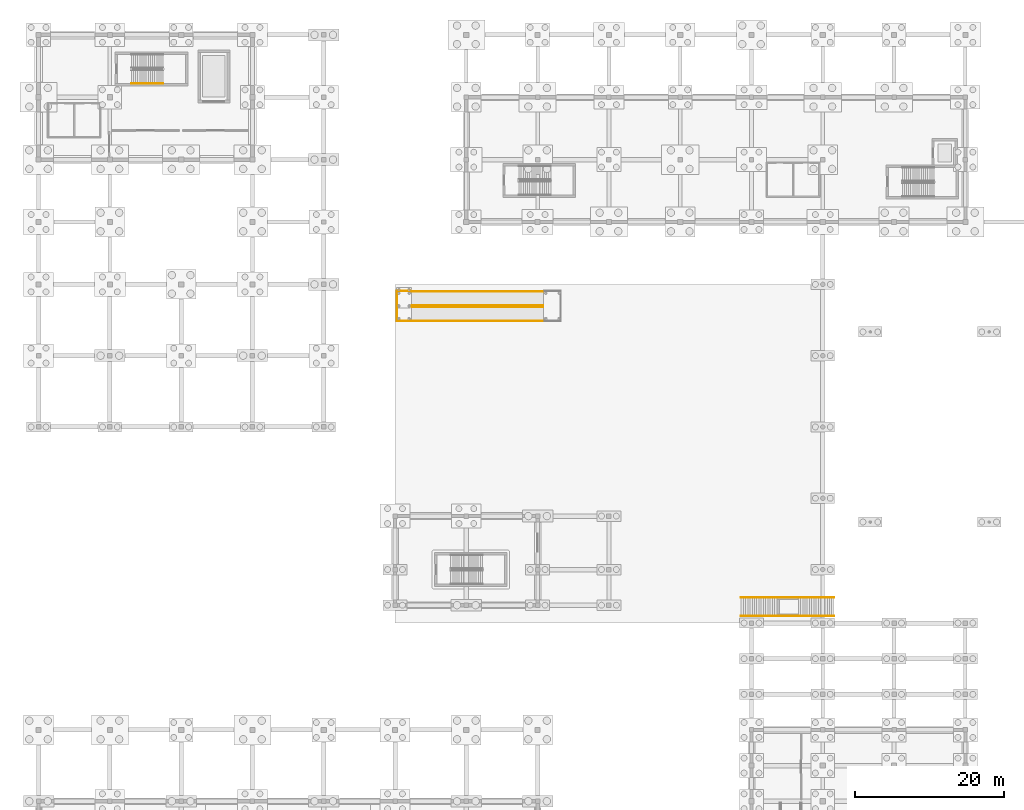
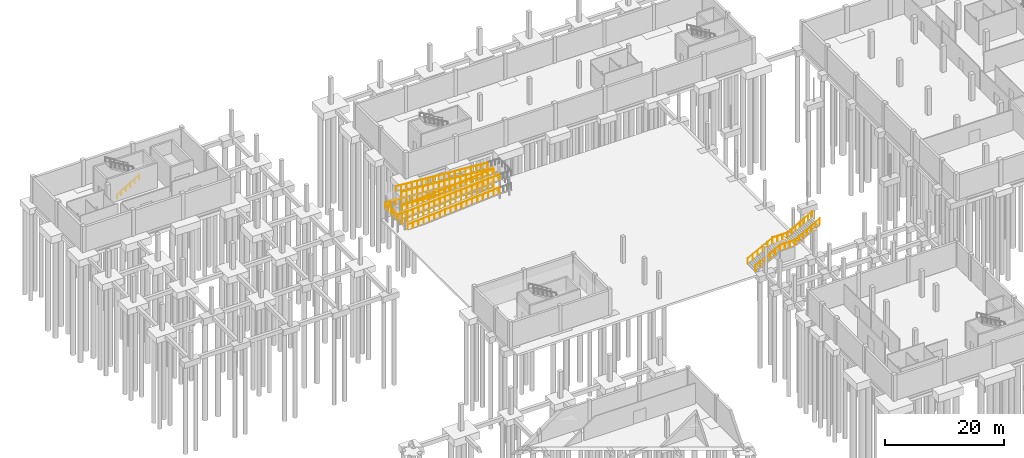
# One storey, part 36 of 41: 14 railings.
"""IFC4 building model written with IfcOpenShell, lengths in metres."""

from ifc_helpers import new_model, si_unit, direction, frame, origin, origin_2d, place, context, subcontext, project, spatial, circle, extrude, material, type_object, element, save


model = new_model("IFC4")

# Units and contexts
model_context = context("Model", 3, precision=1e-05, world=origin(), true_north=direction((0.0, 1.0)))
body_context = subcontext(model_context, "Body", "Model", "MODEL_VIEW")
ifc_project = project(units=[si_unit("LENGTHUNIT", "METRE"), si_unit("AREAUNIT", "SQUARE_METRE"), si_unit("VOLUMEUNIT", "CUBIC_METRE"), si_unit("PLANEANGLEUNIT", "RADIAN"), si_unit("MASSUNIT", "GRAM", prefix="KILO")], contexts=[model_context])

# Site, building, storey
site_placement = place(None, origin())
site = spatial("IfcSite", under=ifc_project, at=site_placement, CompositionType="ELEMENT")
building_placement = place(site_placement, origin())
building = spatial("IfcBuilding", under=site, at=building_placement, Name="Shalvenor Court Art Gallery", CompositionType="ELEMENT")
storey_placement = place(building_placement, frame((0.0, 0.0, -5.39990234375)))
storey = spatial("IfcBuildingStorey", under=building, at=storey_placement, Name="B01", CompositionType="ELEMENT", Elevation=-5.39990234375)

# Railings
ifc_material_1 = material(Name="Stainless steel and laminated glass balustrade", Category="steel")
railing_type_1 = type_object("IfcRailingType", Name="GR-01", PredefinedType="BALUSTRADE", material=ifc_material_1)
railing_1_placement = place(storey_placement, frame((50.260009765625, 83.860107421875, 0.0)))
element("IfcRailing", 1, at=railing_1_placement, inside=storey, type_object=railing_type_1, Name="Accessible Ramp Balustrade 1.1", PredefinedType="BALUSTRADE", context=body_context, shape_type="SweptSolid", body=[
    extrude(circle(Radius=0.02392578125, at=origin_2d()), frame((0.0, 0.0, 1.09619140625), z_axis=(0.997098059701, 0.0, 0.076127914331), x_axis=(0.0, 1.0, 0.0)), (0.0, 0.0, 1.0), 17.7314453125),
    extrude(circle(Radius=0.02099609375, at=origin_2d()), origin(), (0.0, 0.0, 1.0), 1.072021484375),
    extrude(circle(Radius=0.02099609375, at=origin_2d()), frame((1.0400390625, 0.0, 0.079345703125)), (0.0, 0.0, 1.0), 1.072021484375),
    extrude(circle(Radius=0.02099609375, at=origin_2d()), frame((2.080078125, 0.0, 0.15869140625)), (0.0, 0.0, 1.0), 1.072021484375),
    extrude(circle(Radius=0.02099609375, at=origin_2d()), frame((3.119873046875, 0.0, 0.23828125)), (0.0, 0.0, 1.0), 1.072021484375),
    extrude(circle(Radius=0.02099609375, at=origin_2d()), frame((4.159912109375, 0.0, 0.317626953125)), (0.0, 0.0, 1.0), 1.072021484375),
    extrude(circle(Radius=0.02099609375, at=origin_2d()), frame((5.199951171875, 0.0, 0.39697265625)), (0.0, 0.0, 1.0), 1.072021484375),
    extrude(circle(Radius=0.02099609375, at=origin_2d()), frame((6.239990234375, 0.0, 0.476318359375)), (0.0, 0.0, 1.0), 1.072021484375),
    extrude(circle(Radius=0.02099609375, at=origin_2d()), frame((7.280029296875, 0.0, 0.555908203125)), (0.0, 0.0, 1.0), 1.072021484375),
    extrude(circle(Radius=0.02099609375, at=origin_2d()), frame((8.320068359375, 0.0, 0.63525390625)), (0.0, 0.0, 1.0), 1.072021484375),
    extrude(circle(Radius=0.02099609375, at=origin_2d()), frame((9.35986328125, 0.0, 0.714599609375)), (0.0, 0.0, 1.0), 1.072021484375),
    extrude(circle(Radius=0.02099609375, at=origin_2d()), frame((10.39990234375, 0.0, 0.7939453125)), (0.0, 0.0, 1.0), 1.072021484375),
    extrude(circle(Radius=0.02099609375, at=origin_2d()), frame((11.43994140625, 0.0, 0.87353515625)), (0.0, 0.0, 1.0), 1.072021484375),
    extrude(circle(Radius=0.02099609375, at=origin_2d()), frame((12.47998046875, 0.0, 0.952880859375)), (0.0, 0.0, 1.0), 1.072021484375),
    extrude(circle(Radius=0.02099609375, at=origin_2d()), frame((13.52001953125, 0.0, 1.0322265625)), (0.0, 0.0, 1.0), 1.072021484375),
    extrude(circle(Radius=0.02099609375, at=origin_2d()), frame((14.56005859375, 0.0, 1.111572265625)), (0.0, 0.0, 1.0), 1.072021484375),
    extrude(circle(Radius=0.02099609375, at=origin_2d()), frame((15.599853515625, 0.0, 1.191162109375)), (0.0, 0.0, 1.0), 1.072021484375),
    extrude(circle(Radius=0.02099609375, at=origin_2d()), frame((16.639892578125, 0.0, 1.2705078125)), (0.0, 0.0, 1.0), 1.072021484375),
    extrude(circle(Radius=0.02099609375, at=origin_2d()), frame((17.679931640625, 0.0, 1.349853515625)), (0.0, 0.0, 1.0), 1.072021484375),
])
railing_2_placement = place(storey_placement, frame((50.260009765625, 85.739990234375, 0.0)))
element("IfcRailing", 2, at=railing_2_placement, inside=storey, type_object=railing_type_1, Name="Accessible Ramp Balustrade 1.2", PredefinedType="BALUSTRADE", context=body_context, shape_type="SweptSolid", body=[
    extrude(circle(Radius=0.02392578125, at=origin_2d()), frame((0.0, 0.0, 1.09619140625), z_axis=(0.997098059701, 0.0, 0.076127914331), x_axis=(0.0, 1.0, 0.0)), (0.0, 0.0, 1.0), 17.7314453125),
    extrude(circle(Radius=0.02099609375, at=origin_2d()), origin(), (0.0, 0.0, 1.0), 1.072021484375),
    extrude(circle(Radius=0.02099609375, at=origin_2d()), frame((1.0400390625, 0.0, 0.079345703125)), (0.0, 0.0, 1.0), 1.072021484375),
    extrude(circle(Radius=0.02099609375, at=origin_2d()), frame((2.080078125, 0.0, 0.15869140625)), (0.0, 0.0, 1.0), 1.072021484375),
    extrude(circle(Radius=0.02099609375, at=origin_2d()), frame((3.119873046875, 0.0, 0.23828125)), (0.0, 0.0, 1.0), 1.072021484375),
    extrude(circle(Radius=0.02099609375, at=origin_2d()), frame((4.159912109375, 0.0, 0.317626953125)), (0.0, 0.0, 1.0), 1.072021484375),
    extrude(circle(Radius=0.02099609375, at=origin_2d()), frame((5.199951171875, 0.0, 0.39697265625)), (0.0, 0.0, 1.0), 1.072021484375),
    extrude(circle(Radius=0.02099609375, at=origin_2d()), frame((6.239990234375, 0.0, 0.476318359375)), (0.0, 0.0, 1.0), 1.072021484375),
    extrude(circle(Radius=0.02099609375, at=origin_2d()), frame((7.280029296875, 0.0, 0.555908203125)), (0.0, 0.0, 1.0), 1.072021484375),
    extrude(circle(Radius=0.02099609375, at=origin_2d()), frame((8.320068359375, 0.0, 0.63525390625)), (0.0, 0.0, 1.0), 1.072021484375),
    extrude(circle(Radius=0.02099609375, at=origin_2d()), frame((9.35986328125, 0.0, 0.714599609375)), (0.0, 0.0, 1.0), 1.072021484375),
    extrude(circle(Radius=0.02099609375, at=origin_2d()), frame((10.39990234375, 0.0, 0.7939453125)), (0.0, 0.0, 1.0), 1.072021484375),
    extrude(circle(Radius=0.02099609375, at=origin_2d()), frame((11.43994140625, 0.0, 0.87353515625)), (0.0, 0.0, 1.0), 1.072021484375),
    extrude(circle(Radius=0.02099609375, at=origin_2d()), frame((12.47998046875, 0.0, 0.952880859375)), (0.0, 0.0, 1.0), 1.072021484375),
    extrude(circle(Radius=0.02099609375, at=origin_2d()), frame((13.52001953125, 0.0, 1.0322265625)), (0.0, 0.0, 1.0), 1.072021484375),
    extrude(circle(Radius=0.02099609375, at=origin_2d()), frame((14.56005859375, 0.0, 1.111572265625)), (0.0, 0.0, 1.0), 1.072021484375),
    extrude(circle(Radius=0.02099609375, at=origin_2d()), frame((15.599853515625, 0.0, 1.191162109375)), (0.0, 0.0, 1.0), 1.072021484375),
    extrude(circle(Radius=0.02099609375, at=origin_2d()), frame((16.639892578125, 0.0, 1.2705078125)), (0.0, 0.0, 1.0), 1.072021484375),
    extrude(circle(Radius=0.02099609375, at=origin_2d()), frame((17.679931640625, 0.0, 1.349853515625)), (0.0, 0.0, 1.0), 1.072021484375),
])
railing_3_placement = place(storey_placement, frame((67.93994140625, 85.9599609375, 1.349853515625)))
element("IfcRailing", 3, at=railing_3_placement, inside=storey, type_object=railing_type_1, Name="Accessible Ramp Balustrade 2.1", PredefinedType="BALUSTRADE", context=body_context, shape_type="SweptSolid", body=[
    extrude(circle(Radius=0.02392578125, at=origin_2d()), frame((0.0, 0.0, 1.09619140625), z_axis=(-0.997097014457, 0.0, 0.076141603352), x_axis=(0.0, -1.0, 0.0)), (0.0, 0.0, 1.0), 17.7314453125),
    extrude(circle(Radius=0.02099609375, at=origin_2d()), origin(), (0.0, 0.0, 1.0), 1.072021484375),
    extrude(circle(Radius=0.02099609375, at=origin_2d()), frame((-1.0400390625, 0.0, 0.079345703125)), (0.0, 0.0, 1.0), 1.072021484375),
    extrude(circle(Radius=0.02099609375, at=origin_2d()), frame((-2.080078125, 0.0, 0.158935546875)), (0.0, 0.0, 1.0), 1.072021484375),
    extrude(circle(Radius=0.02099609375, at=origin_2d()), frame((-3.119873046875, 0.0, 0.23828125)), (0.0, 0.0, 1.0), 1.072021484375),
    extrude(circle(Radius=0.02099609375, at=origin_2d()), frame((-4.159912109375, 0.0, 0.317626953125)), (0.0, 0.0, 1.0), 1.072021484375),
    extrude(circle(Radius=0.02099609375, at=origin_2d()), frame((-5.199951171875, 0.0, 0.39697265625)), (0.0, 0.0, 1.0), 1.072021484375),
    extrude(circle(Radius=0.02099609375, at=origin_2d()), frame((-6.239990234375, 0.0, 0.4765625)), (0.0, 0.0, 1.0), 1.072021484375),
    extrude(circle(Radius=0.02099609375, at=origin_2d()), frame((-7.280029296875, 0.0, 0.555908203125)), (0.0, 0.0, 1.0), 1.072021484375),
    extrude(circle(Radius=0.02099609375, at=origin_2d()), frame((-8.320068359375, 0.0, 0.63525390625)), (0.0, 0.0, 1.0), 1.072021484375),
    extrude(circle(Radius=0.02099609375, at=origin_2d()), frame((-9.35986328125, 0.0, 0.71484375)), (0.0, 0.0, 1.0), 1.072021484375),
    extrude(circle(Radius=0.02099609375, at=origin_2d()), frame((-10.39990234375, 0.0, 0.794189453125)), (0.0, 0.0, 1.0), 1.072021484375),
    extrude(circle(Radius=0.02099609375, at=origin_2d()), frame((-11.43994140625, 0.0, 0.87353515625)), (0.0, 0.0, 1.0), 1.072021484375),
    extrude(circle(Radius=0.02099609375, at=origin_2d()), frame((-12.47998046875, 0.0, 0.953125)), (0.0, 0.0, 1.0), 1.072021484375),
    extrude(circle(Radius=0.02099609375, at=origin_2d()), frame((-13.52001953125, 0.0, 1.032470703125)), (0.0, 0.0, 1.0), 1.072021484375),
    extrude(circle(Radius=0.02099609375, at=origin_2d()), frame((-14.56005859375, 0.0, 1.11181640625)), (0.0, 0.0, 1.0), 1.072021484375),
    extrude(circle(Radius=0.02099609375, at=origin_2d()), frame((-15.599853515625, 0.0, 1.191162109375)), (0.0, 0.0, 1.0), 1.072021484375),
    extrude(circle(Radius=0.02099609375, at=origin_2d()), frame((-16.639892578125, 0.0, 1.270751953125)), (0.0, 0.0, 1.0), 1.072021484375),
    extrude(circle(Radius=0.02099609375, at=origin_2d()), frame((-17.679931640625, 0.0, 1.35009765625)), (0.0, 0.0, 1.0), 1.072021484375),
])
railing_4_placement = place(storey_placement, frame((67.93994140625, 87.840087890625, 1.349853515625)))
element("IfcRailing", 4, at=railing_4_placement, inside=storey, type_object=railing_type_1, Name="Accessible Ramp Balustrade 2.2", PredefinedType="BALUSTRADE", context=body_context, shape_type="SweptSolid", body=[
    extrude(circle(Radius=0.02392578125, at=origin_2d()), frame((0.0, 0.0, 1.09619140625), z_axis=(-0.997097014457, 0.0, 0.076141603352), x_axis=(0.0, -1.0, 0.0)), (0.0, 0.0, 1.0), 17.7314453125),
    extrude(circle(Radius=0.02099609375, at=origin_2d()), origin(), (0.0, 0.0, 1.0), 1.072021484375),
    extrude(circle(Radius=0.02099609375, at=origin_2d()), frame((-1.0400390625, 0.0, 0.079345703125)), (0.0, 0.0, 1.0), 1.072021484375),
    extrude(circle(Radius=0.02099609375, at=origin_2d()), frame((-2.080078125, 0.0, 0.158935546875)), (0.0, 0.0, 1.0), 1.072021484375),
    extrude(circle(Radius=0.02099609375, at=origin_2d()), frame((-3.119873046875, 0.0, 0.23828125)), (0.0, 0.0, 1.0), 1.072021484375),
    extrude(circle(Radius=0.02099609375, at=origin_2d()), frame((-4.159912109375, 0.0, 0.317626953125)), (0.0, 0.0, 1.0), 1.072021484375),
    extrude(circle(Radius=0.02099609375, at=origin_2d()), frame((-5.199951171875, 0.0, 0.39697265625)), (0.0, 0.0, 1.0), 1.072021484375),
    extrude(circle(Radius=0.02099609375, at=origin_2d()), frame((-6.239990234375, 0.0, 0.4765625)), (0.0, 0.0, 1.0), 1.072021484375),
    extrude(circle(Radius=0.02099609375, at=origin_2d()), frame((-7.280029296875, 0.0, 0.555908203125)), (0.0, 0.0, 1.0), 1.072021484375),
    extrude(circle(Radius=0.02099609375, at=origin_2d()), frame((-8.320068359375, 0.0, 0.63525390625)), (0.0, 0.0, 1.0), 1.072021484375),
    extrude(circle(Radius=0.02099609375, at=origin_2d()), frame((-9.35986328125, 0.0, 0.71484375)), (0.0, 0.0, 1.0), 1.072021484375),
    extrude(circle(Radius=0.02099609375, at=origin_2d()), frame((-10.39990234375, 0.0, 0.794189453125)), (0.0, 0.0, 1.0), 1.072021484375),
    extrude(circle(Radius=0.02099609375, at=origin_2d()), frame((-11.43994140625, 0.0, 0.87353515625)), (0.0, 0.0, 1.0), 1.072021484375),
    extrude(circle(Radius=0.02099609375, at=origin_2d()), frame((-12.47998046875, 0.0, 0.953125)), (0.0, 0.0, 1.0), 1.072021484375),
    extrude(circle(Radius=0.02099609375, at=origin_2d()), frame((-13.52001953125, 0.0, 1.032470703125)), (0.0, 0.0, 1.0), 1.072021484375),
    extrude(circle(Radius=0.02099609375, at=origin_2d()), frame((-14.56005859375, 0.0, 1.11181640625)), (0.0, 0.0, 1.0), 1.072021484375),
    extrude(circle(Radius=0.02099609375, at=origin_2d()), frame((-15.599853515625, 0.0, 1.191162109375)), (0.0, 0.0, 1.0), 1.072021484375),
    extrude(circle(Radius=0.02099609375, at=origin_2d()), frame((-16.639892578125, 0.0, 1.270751953125)), (0.0, 0.0, 1.0), 1.072021484375),
    extrude(circle(Radius=0.02099609375, at=origin_2d()), frame((-17.679931640625, 0.0, 1.35009765625)), (0.0, 0.0, 1.0), 1.072021484375),
])
railing_5_placement = place(storey_placement, frame((50.260009765625, 83.860107421875, 2.699951171875)))
element("IfcRailing", 5, at=railing_5_placement, inside=storey, type_object=railing_type_1, Name="Accessible Ramp Balustrade 3.1", PredefinedType="BALUSTRADE", context=body_context, shape_type="SweptSolid", body=[
    extrude(circle(Radius=0.02392578125, at=origin_2d()), frame((0.0, 0.0, 1.09619140625), z_axis=(0.997098059701, 0.0, 0.076127914331), x_axis=(0.0, 1.0, 0.0)), (0.0, 0.0, 1.0), 17.7314453125),
    extrude(circle(Radius=0.02099609375, at=origin_2d()), origin(), (0.0, 0.0, 1.0), 1.072021484375),
    extrude(circle(Radius=0.02099609375, at=origin_2d()), frame((1.0400390625, 0.0, 0.079345703125)), (0.0, 0.0, 1.0), 1.072021484375),
    extrude(circle(Radius=0.02099609375, at=origin_2d()), frame((2.080078125, 0.0, 0.15869140625)), (0.0, 0.0, 1.0), 1.072021484375),
    extrude(circle(Radius=0.02099609375, at=origin_2d()), frame((3.119873046875, 0.0, 0.23828125)), (0.0, 0.0, 1.0), 1.072021484375),
    extrude(circle(Radius=0.02099609375, at=origin_2d()), frame((4.159912109375, 0.0, 0.317626953125)), (0.0, 0.0, 1.0), 1.072021484375),
    extrude(circle(Radius=0.02099609375, at=origin_2d()), frame((5.199951171875, 0.0, 0.39697265625)), (0.0, 0.0, 1.0), 1.072021484375),
    extrude(circle(Radius=0.02099609375, at=origin_2d()), frame((6.239990234375, 0.0, 0.476318359375)), (0.0, 0.0, 1.0), 1.072021484375),
    extrude(circle(Radius=0.02099609375, at=origin_2d()), frame((7.280029296875, 0.0, 0.555908203125)), (0.0, 0.0, 1.0), 1.072021484375),
    extrude(circle(Radius=0.02099609375, at=origin_2d()), frame((8.320068359375, 0.0, 0.63525390625)), (0.0, 0.0, 1.0), 1.072021484375),
    extrude(circle(Radius=0.02099609375, at=origin_2d()), frame((9.35986328125, 0.0, 0.714599609375)), (0.0, 0.0, 1.0), 1.072021484375),
    extrude(circle(Radius=0.02099609375, at=origin_2d()), frame((10.39990234375, 0.0, 0.7939453125)), (0.0, 0.0, 1.0), 1.072021484375),
    extrude(circle(Radius=0.02099609375, at=origin_2d()), frame((11.43994140625, 0.0, 0.87353515625)), (0.0, 0.0, 1.0), 1.072021484375),
    extrude(circle(Radius=0.02099609375, at=origin_2d()), frame((12.47998046875, 0.0, 0.952880859375)), (0.0, 0.0, 1.0), 1.072021484375),
    extrude(circle(Radius=0.02099609375, at=origin_2d()), frame((13.52001953125, 0.0, 1.0322265625)), (0.0, 0.0, 1.0), 1.072021484375),
    extrude(circle(Radius=0.02099609375, at=origin_2d()), frame((14.56005859375, 0.0, 1.111572265625)), (0.0, 0.0, 1.0), 1.072021484375),
    extrude(circle(Radius=0.02099609375, at=origin_2d()), frame((15.599853515625, 0.0, 1.191162109375)), (0.0, 0.0, 1.0), 1.072021484375),
    extrude(circle(Radius=0.02099609375, at=origin_2d()), frame((16.639892578125, 0.0, 1.2705078125)), (0.0, 0.0, 1.0), 1.072021484375),
    extrude(circle(Radius=0.02099609375, at=origin_2d()), frame((17.679931640625, 0.0, 1.349853515625)), (0.0, 0.0, 1.0), 1.072021484375),
])
railing_6_placement = place(storey_placement, frame((50.260009765625, 85.739990234375, 2.699951171875)))
element("IfcRailing", 6, at=railing_6_placement, inside=storey, type_object=railing_type_1, Name="Accessible Ramp Balustrade 3.2", PredefinedType="BALUSTRADE", context=body_context, shape_type="SweptSolid", body=[
    extrude(circle(Radius=0.02392578125, at=origin_2d()), frame((0.0, 0.0, 1.09619140625), z_axis=(0.997098059701, 0.0, 0.076127914331), x_axis=(0.0, 1.0, 0.0)), (0.0, 0.0, 1.0), 17.7314453125),
    extrude(circle(Radius=0.02099609375, at=origin_2d()), origin(), (0.0, 0.0, 1.0), 1.072021484375),
    extrude(circle(Radius=0.02099609375, at=origin_2d()), frame((1.0400390625, 0.0, 0.079345703125)), (0.0, 0.0, 1.0), 1.072021484375),
    extrude(circle(Radius=0.02099609375, at=origin_2d()), frame((2.080078125, 0.0, 0.15869140625)), (0.0, 0.0, 1.0), 1.072021484375),
    extrude(circle(Radius=0.02099609375, at=origin_2d()), frame((3.119873046875, 0.0, 0.23828125)), (0.0, 0.0, 1.0), 1.072021484375),
    extrude(circle(Radius=0.02099609375, at=origin_2d()), frame((4.159912109375, 0.0, 0.317626953125)), (0.0, 0.0, 1.0), 1.072021484375),
    extrude(circle(Radius=0.02099609375, at=origin_2d()), frame((5.199951171875, 0.0, 0.39697265625)), (0.0, 0.0, 1.0), 1.072021484375),
    extrude(circle(Radius=0.02099609375, at=origin_2d()), frame((6.239990234375, 0.0, 0.476318359375)), (0.0, 0.0, 1.0), 1.072021484375),
    extrude(circle(Radius=0.02099609375, at=origin_2d()), frame((7.280029296875, 0.0, 0.555908203125)), (0.0, 0.0, 1.0), 1.072021484375),
    extrude(circle(Radius=0.02099609375, at=origin_2d()), frame((8.320068359375, 0.0, 0.63525390625)), (0.0, 0.0, 1.0), 1.072021484375),
    extrude(circle(Radius=0.02099609375, at=origin_2d()), frame((9.35986328125, 0.0, 0.714599609375)), (0.0, 0.0, 1.0), 1.072021484375),
    extrude(circle(Radius=0.02099609375, at=origin_2d()), frame((10.39990234375, 0.0, 0.7939453125)), (0.0, 0.0, 1.0), 1.072021484375),
    extrude(circle(Radius=0.02099609375, at=origin_2d()), frame((11.43994140625, 0.0, 0.87353515625)), (0.0, 0.0, 1.0), 1.072021484375),
    extrude(circle(Radius=0.02099609375, at=origin_2d()), frame((12.47998046875, 0.0, 0.952880859375)), (0.0, 0.0, 1.0), 1.072021484375),
    extrude(circle(Radius=0.02099609375, at=origin_2d()), frame((13.52001953125, 0.0, 1.0322265625)), (0.0, 0.0, 1.0), 1.072021484375),
    extrude(circle(Radius=0.02099609375, at=origin_2d()), frame((14.56005859375, 0.0, 1.111572265625)), (0.0, 0.0, 1.0), 1.072021484375),
    extrude(circle(Radius=0.02099609375, at=origin_2d()), frame((15.599853515625, 0.0, 1.191162109375)), (0.0, 0.0, 1.0), 1.072021484375),
    extrude(circle(Radius=0.02099609375, at=origin_2d()), frame((16.639892578125, 0.0, 1.2705078125)), (0.0, 0.0, 1.0), 1.072021484375),
    extrude(circle(Radius=0.02099609375, at=origin_2d()), frame((17.679931640625, 0.0, 1.349853515625)), (0.0, 0.0, 1.0), 1.072021484375),
])
railing_7_placement = place(storey_placement, frame((67.93994140625, 85.9599609375, 4.0498046875)))
element("IfcRailing", 7, at=railing_7_placement, inside=storey, type_object=railing_type_1, Name="Accessible Ramp Balustrade 4.1", PredefinedType="BALUSTRADE", context=body_context, shape_type="SweptSolid", body=[
    extrude(circle(Radius=0.02392578125, at=origin_2d()), frame((0.0, 0.0, 1.09619140625), z_axis=(-0.997097014457, 0.0, 0.076141603352), x_axis=(0.0, -1.0, 0.0)), (0.0, 0.0, 1.0), 17.7314453125),
    extrude(circle(Radius=0.02099609375, at=origin_2d()), origin(), (0.0, 0.0, 1.0), 1.072021484375),
    extrude(circle(Radius=0.02099609375, at=origin_2d()), frame((-1.0400390625, 0.0, 0.079345703125)), (0.0, 0.0, 1.0), 1.072021484375),
    extrude(circle(Radius=0.02099609375, at=origin_2d()), frame((-2.080078125, 0.0, 0.158935546875)), (0.0, 0.0, 1.0), 1.072021484375),
    extrude(circle(Radius=0.02099609375, at=origin_2d()), frame((-3.119873046875, 0.0, 0.23828125)), (0.0, 0.0, 1.0), 1.072021484375),
    extrude(circle(Radius=0.02099609375, at=origin_2d()), frame((-4.159912109375, 0.0, 0.317626953125)), (0.0, 0.0, 1.0), 1.072021484375),
    extrude(circle(Radius=0.02099609375, at=origin_2d()), frame((-5.199951171875, 0.0, 0.39697265625)), (0.0, 0.0, 1.0), 1.072021484375),
    extrude(circle(Radius=0.02099609375, at=origin_2d()), frame((-6.239990234375, 0.0, 0.4765625)), (0.0, 0.0, 1.0), 1.072021484375),
    extrude(circle(Radius=0.02099609375, at=origin_2d()), frame((-7.280029296875, 0.0, 0.555908203125)), (0.0, 0.0, 1.0), 1.072021484375),
    extrude(circle(Radius=0.02099609375, at=origin_2d()), frame((-8.320068359375, 0.0, 0.63525390625)), (0.0, 0.0, 1.0), 1.072021484375),
    extrude(circle(Radius=0.02099609375, at=origin_2d()), frame((-9.35986328125, 0.0, 0.71484375)), (0.0, 0.0, 1.0), 1.072021484375),
    extrude(circle(Radius=0.02099609375, at=origin_2d()), frame((-10.39990234375, 0.0, 0.794189453125)), (0.0, 0.0, 1.0), 1.072021484375),
    extrude(circle(Radius=0.02099609375, at=origin_2d()), frame((-11.43994140625, 0.0, 0.87353515625)), (0.0, 0.0, 1.0), 1.072021484375),
    extrude(circle(Radius=0.02099609375, at=origin_2d()), frame((-12.47998046875, 0.0, 0.953125)), (0.0, 0.0, 1.0), 1.072021484375),
    extrude(circle(Radius=0.02099609375, at=origin_2d()), frame((-13.52001953125, 0.0, 1.032470703125)), (0.0, 0.0, 1.0), 1.072021484375),
    extrude(circle(Radius=0.02099609375, at=origin_2d()), frame((-14.56005859375, 0.0, 1.11181640625)), (0.0, 0.0, 1.0), 1.072021484375),
    extrude(circle(Radius=0.02099609375, at=origin_2d()), frame((-15.599853515625, 0.0, 1.191162109375)), (0.0, 0.0, 1.0), 1.072021484375),
    extrude(circle(Radius=0.02099609375, at=origin_2d()), frame((-16.639892578125, 0.0, 1.270751953125)), (0.0, 0.0, 1.0), 1.072021484375),
    extrude(circle(Radius=0.02099609375, at=origin_2d()), frame((-17.679931640625, 0.0, 1.35009765625)), (0.0, 0.0, 1.0), 1.072021484375),
])
railing_8_placement = place(storey_placement, frame((67.93994140625, 87.840087890625, 4.0498046875)))
element("IfcRailing", 8, at=railing_8_placement, inside=storey, type_object=railing_type_1, Name="Accessible Ramp Balustrade 4.2", PredefinedType="BALUSTRADE", context=body_context, shape_type="SweptSolid", body=[
    extrude(circle(Radius=0.02392578125, at=origin_2d()), frame((0.0, 0.0, 1.09619140625), z_axis=(-0.997097014457, 0.0, 0.076141603352), x_axis=(0.0, -1.0, 0.0)), (0.0, 0.0, 1.0), 17.7314453125),
    extrude(circle(Radius=0.02099609375, at=origin_2d()), origin(), (0.0, 0.0, 1.0), 1.072021484375),
    extrude(circle(Radius=0.02099609375, at=origin_2d()), frame((-1.0400390625, 0.0, 0.079345703125)), (0.0, 0.0, 1.0), 1.072021484375),
    extrude(circle(Radius=0.02099609375, at=origin_2d()), frame((-2.080078125, 0.0, 0.158935546875)), (0.0, 0.0, 1.0), 1.072021484375),
    extrude(circle(Radius=0.02099609375, at=origin_2d()), frame((-3.119873046875, 0.0, 0.23828125)), (0.0, 0.0, 1.0), 1.072021484375),
    extrude(circle(Radius=0.02099609375, at=origin_2d()), frame((-4.159912109375, 0.0, 0.317626953125)), (0.0, 0.0, 1.0), 1.072021484375),
    extrude(circle(Radius=0.02099609375, at=origin_2d()), frame((-5.199951171875, 0.0, 0.39697265625)), (0.0, 0.0, 1.0), 1.072021484375),
    extrude(circle(Radius=0.02099609375, at=origin_2d()), frame((-6.239990234375, 0.0, 0.4765625)), (0.0, 0.0, 1.0), 1.072021484375),
    extrude(circle(Radius=0.02099609375, at=origin_2d()), frame((-7.280029296875, 0.0, 0.555908203125)), (0.0, 0.0, 1.0), 1.072021484375),
    extrude(circle(Radius=0.02099609375, at=origin_2d()), frame((-8.320068359375, 0.0, 0.63525390625)), (0.0, 0.0, 1.0), 1.072021484375),
    extrude(circle(Radius=0.02099609375, at=origin_2d()), frame((-9.35986328125, 0.0, 0.71484375)), (0.0, 0.0, 1.0), 1.072021484375),
    extrude(circle(Radius=0.02099609375, at=origin_2d()), frame((-10.39990234375, 0.0, 0.794189453125)), (0.0, 0.0, 1.0), 1.072021484375),
    extrude(circle(Radius=0.02099609375, at=origin_2d()), frame((-11.43994140625, 0.0, 0.87353515625)), (0.0, 0.0, 1.0), 1.072021484375),
    extrude(circle(Radius=0.02099609375, at=origin_2d()), frame((-12.47998046875, 0.0, 0.953125)), (0.0, 0.0, 1.0), 1.072021484375),
    extrude(circle(Radius=0.02099609375, at=origin_2d()), frame((-13.52001953125, 0.0, 1.032470703125)), (0.0, 0.0, 1.0), 1.072021484375),
    extrude(circle(Radius=0.02099609375, at=origin_2d()), frame((-14.56005859375, 0.0, 1.11181640625)), (0.0, 0.0, 1.0), 1.072021484375),
    extrude(circle(Radius=0.02099609375, at=origin_2d()), frame((-15.599853515625, 0.0, 1.191162109375)), (0.0, 0.0, 1.0), 1.072021484375),
    extrude(circle(Radius=0.02099609375, at=origin_2d()), frame((-16.639892578125, 0.0, 1.270751953125)), (0.0, 0.0, 1.0), 1.072021484375),
    extrude(circle(Radius=0.02099609375, at=origin_2d()), frame((-17.679931640625, 0.0, 1.35009765625)), (0.0, 0.0, 1.0), 1.072021484375),
])
railing_9_placement = place(storey_placement, frame((48.280029296875, 83.8798828125, 2.699951171875)))
element("IfcRailing", 9, at=railing_9_placement, inside=storey, type_object=railing_type_1, Name="Accessible Ramp Landing Guard 2.1", PredefinedType="BALUSTRADE", context=body_context, shape_type="SweptSolid", body=[
    extrude(circle(Radius=0.02392578125, at=origin_2d()), frame((0.0, 0.0, 1.09619140625), z_axis=(0.0, 1.0, 0.0), x_axis=(-1.0, 0.0, 0.0)), (0.0, 0.0, 1.0), 4.0400390625),
    extrude(circle(Radius=0.02099609375, at=origin_2d()), origin(), (0.0, 0.0, 1.0), 1.072021484375),
    extrude(circle(Radius=0.02099609375, at=origin_2d()), frame((0.0, 1.010009765625, 0.0)), (0.0, 0.0, 1.0), 1.072021484375),
    extrude(circle(Radius=0.02099609375, at=origin_2d()), frame((0.0, 2.02001953125, 0.0)), (0.0, 0.0, 1.0), 1.072021484375),
    extrude(circle(Radius=0.02099609375, at=origin_2d()), frame((0.0, 3.030029296875, 0.0)), (0.0, 0.0, 1.0), 1.072021484375),
    extrude(circle(Radius=0.02099609375, at=origin_2d()), frame((0.0, 4.0400390625, 0.0)), (0.0, 0.0, 1.0), 1.072021484375),
])
for number, where, name in (
    (10, (48.280029296875, 83.8798828125, 2.699951171875), "Accessible Ramp Landing Guard 2.2"),
    (11, (48.280029296875, 87.919921875, 2.699951171875), "Accessible Ramp Landing Guard 2.3"),
):
    element("IfcRailing", number, at=place(storey_placement, frame(where)), inside=storey, type_object=railing_type_1, Name=name, PredefinedType="BALUSTRADE", context=body_context, shape_type="SweptSolid", body=[
        extrude(circle(Radius=0.02392578125, at=origin_2d()), frame((0.0, 0.0, 1.09619140625), z_axis=(1.0, 0.0, 0.0), x_axis=(0.0, 1.0, 0.0)), (0.0, 0.0, 1.0), 1.840087890625),
        extrude(circle(Radius=0.02099609375, at=origin_2d()), origin(), (0.0, 0.0, 1.0), 1.072021484375),
        extrude(circle(Radius=0.02099609375, at=origin_2d()), frame((0.919921875, 0.0, 0.0)), (0.0, 0.0, 1.0), 1.072021484375),
        extrude(circle(Radius=0.02099609375, at=origin_2d()), frame((1.840087890625, 0.0, 0.0)), (0.0, 0.0, 1.0), 1.072021484375),
    ])
railing_10_placement = place(storey_placement, frame((94.60009765625, 44.159912109375, 0.15869140625)))
element("IfcRailing", 12, at=railing_10_placement, inside=storey, type_object=railing_type_1, Name="B01 ST-T1 Outdoor Stair Balustrade S", PredefinedType="BALUSTRADE", context=body_context, shape_type="SweptSolid", body=[
    extrude(circle(Radius=0.02392578125, at=origin_2d()), frame((0.0, 0.0, 1.09619140625), z_axis=(0.883773701108, 0.0, 0.467914570439), x_axis=(0.0, 1.0, 0.0)), (0.0, 0.0, 1.0), 5.43115234375),
    extrude(circle(Radius=0.02392578125, at=origin_2d()), frame((4.7998046875, 0.0, 3.63720703125), z_axis=(1.0, 0.0, 0.0), x_axis=(0.0, 1.0, 0.0)), (0.0, 0.0, 1.0), 2.900146484375),
    extrude(circle(Radius=0.02392578125, at=origin_2d()), frame((7.699951171875, 0.0, 3.63720703125), z_axis=(0.871581456561, 0.0, 0.490250716042), x_axis=(0.0, 1.0, 0.0)), (0.0, 0.0, 1.0), 5.50732421875),
    extrude(circle(Radius=0.02099609375, at=origin_2d()), origin(), (0.0, 0.0, 1.0), 1.072021484375),
    extrude(circle(Radius=0.02099609375, at=origin_2d()), frame((0.9599609375, 0.0, 0.50830078125)), (0.0, 0.0, 1.0), 1.072021484375),
    extrude(circle(Radius=0.02099609375, at=origin_2d()), frame((1.919921875, 0.0, 1.0166015625)), (0.0, 0.0, 1.0), 1.072021484375),
    extrude(circle(Radius=0.02099609375, at=origin_2d()), frame((2.8798828125, 0.0, 1.524658203125)), (0.0, 0.0, 1.0), 1.072021484375),
    extrude(circle(Radius=0.02099609375, at=origin_2d()), frame((3.83984375, 0.0, 2.032958984375)), (0.0, 0.0, 1.0), 1.072021484375),
    extrude(circle(Radius=0.02099609375, at=origin_2d()), frame((4.7998046875, 0.0, 2.541259765625)), (0.0, 0.0, 1.0), 1.072021484375),
    extrude(circle(Radius=0.02099609375, at=origin_2d()), frame((5.7666015625, 0.0, 2.541259765625)), (0.0, 0.0, 1.0), 1.072021484375),
    extrude(circle(Radius=0.02099609375, at=origin_2d()), frame((6.733154296875, 0.0, 2.541259765625)), (0.0, 0.0, 1.0), 1.072021484375),
    extrude(circle(Radius=0.02099609375, at=origin_2d()), frame((7.699951171875, 0.0, 2.541259765625)), (0.0, 0.0, 1.0), 1.072021484375),
    extrude(circle(Radius=0.02099609375, at=origin_2d()), frame((8.5, 0.0, 2.9912109375)), (0.0, 0.0, 1.0), 1.072021484375),
    extrude(circle(Radius=0.02099609375, at=origin_2d()), frame((9.300048828125, 0.0, 3.441162109375)), (0.0, 0.0, 1.0), 1.072021484375),
    extrude(circle(Radius=0.02099609375, at=origin_2d()), frame((10.10009765625, 0.0, 3.89111328125)), (0.0, 0.0, 1.0), 1.072021484375),
    extrude(circle(Radius=0.02099609375, at=origin_2d()), frame((10.89990234375, 0.0, 4.34130859375)), (0.0, 0.0, 1.0), 1.072021484375),
    extrude(circle(Radius=0.02099609375, at=origin_2d()), frame((11.699951171875, 0.0, 4.791259765625)), (0.0, 0.0, 1.0), 1.072021484375),
    extrude(circle(Radius=0.02099609375, at=origin_2d()), frame((12.5, 0.0, 5.2412109375)), (0.0, 0.0, 1.0), 1.072021484375),
])
railing_11_placement = place(storey_placement, frame((94.60009765625, 46.639892578125, 0.15869140625)))
element("IfcRailing", 13, at=railing_11_placement, inside=storey, type_object=railing_type_1, Name="B01 ST-T1 Outdoor Stair Balustrade N", PredefinedType="BALUSTRADE", context=body_context, shape_type="SweptSolid", body=[
    extrude(circle(Radius=0.02392578125, at=origin_2d()), frame((0.0, 0.0, 1.09619140625), z_axis=(0.883773701108, 0.0, 0.467914570439), x_axis=(0.0, 1.0, 0.0)), (0.0, 0.0, 1.0), 5.43115234375),
    extrude(circle(Radius=0.02392578125, at=origin_2d()), frame((4.7998046875, 0.0, 3.63720703125), z_axis=(1.0, 0.0, 0.0), x_axis=(0.0, 1.0, 0.0)), (0.0, 0.0, 1.0), 2.900146484375),
    extrude(circle(Radius=0.02392578125, at=origin_2d()), frame((7.699951171875, 0.0, 3.63720703125), z_axis=(0.871581456561, 0.0, 0.490250716042), x_axis=(0.0, 1.0, 0.0)), (0.0, 0.0, 1.0), 5.50732421875),
    extrude(circle(Radius=0.02099609375, at=origin_2d()), origin(), (0.0, 0.0, 1.0), 1.072021484375),
    extrude(circle(Radius=0.02099609375, at=origin_2d()), frame((0.9599609375, 0.0, 0.50830078125)), (0.0, 0.0, 1.0), 1.072021484375),
    extrude(circle(Radius=0.02099609375, at=origin_2d()), frame((1.919921875, 0.0, 1.0166015625)), (0.0, 0.0, 1.0), 1.072021484375),
    extrude(circle(Radius=0.02099609375, at=origin_2d()), frame((2.8798828125, 0.0, 1.524658203125)), (0.0, 0.0, 1.0), 1.072021484375),
    extrude(circle(Radius=0.02099609375, at=origin_2d()), frame((3.83984375, 0.0, 2.032958984375)), (0.0, 0.0, 1.0), 1.072021484375),
    extrude(circle(Radius=0.02099609375, at=origin_2d()), frame((4.7998046875, 0.0, 2.541259765625)), (0.0, 0.0, 1.0), 1.072021484375),
    extrude(circle(Radius=0.02099609375, at=origin_2d()), frame((5.7666015625, 0.0, 2.541259765625)), (0.0, 0.0, 1.0), 1.072021484375),
    extrude(circle(Radius=0.02099609375, at=origin_2d()), frame((6.733154296875, 0.0, 2.541259765625)), (0.0, 0.0, 1.0), 1.072021484375),
    extrude(circle(Radius=0.02099609375, at=origin_2d()), frame((7.699951171875, 0.0, 2.541259765625)), (0.0, 0.0, 1.0), 1.072021484375),
    extrude(circle(Radius=0.02099609375, at=origin_2d()), frame((8.5, 0.0, 2.9912109375)), (0.0, 0.0, 1.0), 1.072021484375),
    extrude(circle(Radius=0.02099609375, at=origin_2d()), frame((9.300048828125, 0.0, 3.441162109375)), (0.0, 0.0, 1.0), 1.072021484375),
    extrude(circle(Radius=0.02099609375, at=origin_2d()), frame((10.10009765625, 0.0, 3.89111328125)), (0.0, 0.0, 1.0), 1.072021484375),
    extrude(circle(Radius=0.02099609375, at=origin_2d()), frame((10.89990234375, 0.0, 4.34130859375)), (0.0, 0.0, 1.0), 1.072021484375),
    extrude(circle(Radius=0.02099609375, at=origin_2d()), frame((11.699951171875, 0.0, 4.791259765625)), (0.0, 0.0, 1.0), 1.072021484375),
    extrude(circle(Radius=0.02099609375, at=origin_2d()), frame((12.5, 0.0, 5.2412109375)), (0.0, 0.0, 1.0), 1.072021484375),
])
ifc_material_2 = material(Name="Brushed stainless steel handrail", Category="steel")
railing_type_2 = type_object("IfcRailingType", Name="HR-01", PredefinedType="HANDRAIL", material=ifc_material_2)
railing_12_placement = place(storey_placement, frame((12.5, 115.85009765625, 0.168701171875)))
element("IfcRailing", 14, at=railing_12_placement, inside=storey, type_object=railing_type_2, Name="B01 ST-06 Stair Handrail 1", PredefinedType="HANDRAIL", context=body_context, shape_type="SweptSolid", body=[
    extrude(circle(Radius=0.02392578125, at=origin_2d()), frame((0.0, 0.0, 0.8759765625), z_axis=(0.860470286479, 0.0, 0.509500624227), x_axis=(0.0, 1.0, 0.0)), (0.0, 0.0, 1.0), 4.968017578125),
    extrude(circle(Radius=0.02099609375, at=origin_2d()), origin(), (0.0, 0.0, 1.0), 0.851806640625),
    extrude(circle(Radius=0.02099609375, at=origin_2d()), frame((0.85498046875, 0.0, 0.50634765625)), (0.0, 0.0, 1.0), 0.851806640625),
    extrude(circle(Radius=0.02099609375, at=origin_2d()), frame((1.7099609375, 0.0, 1.012451171875)), (0.0, 0.0, 1.0), 0.851806640625),
    extrude(circle(Radius=0.02099609375, at=origin_2d()), frame((2.56494140625, 0.0, 1.518798828125)), (0.0, 0.0, 1.0), 0.851806640625),
    extrude(circle(Radius=0.02099609375, at=origin_2d()), frame((3.419921875, 0.0, 2.02490234375)), (0.0, 0.0, 1.0), 0.851806640625),
    extrude(circle(Radius=0.02099609375, at=origin_2d()), frame((4.27490234375, 0.0, 2.53125)), (0.0, 0.0, 1.0), 0.851806640625),
])

save(model, "model.ifc")
